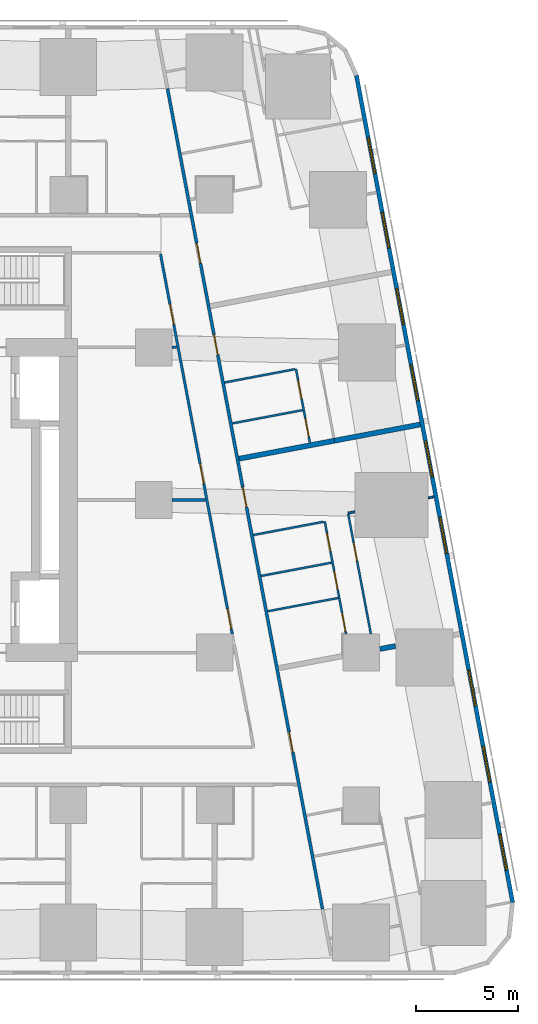
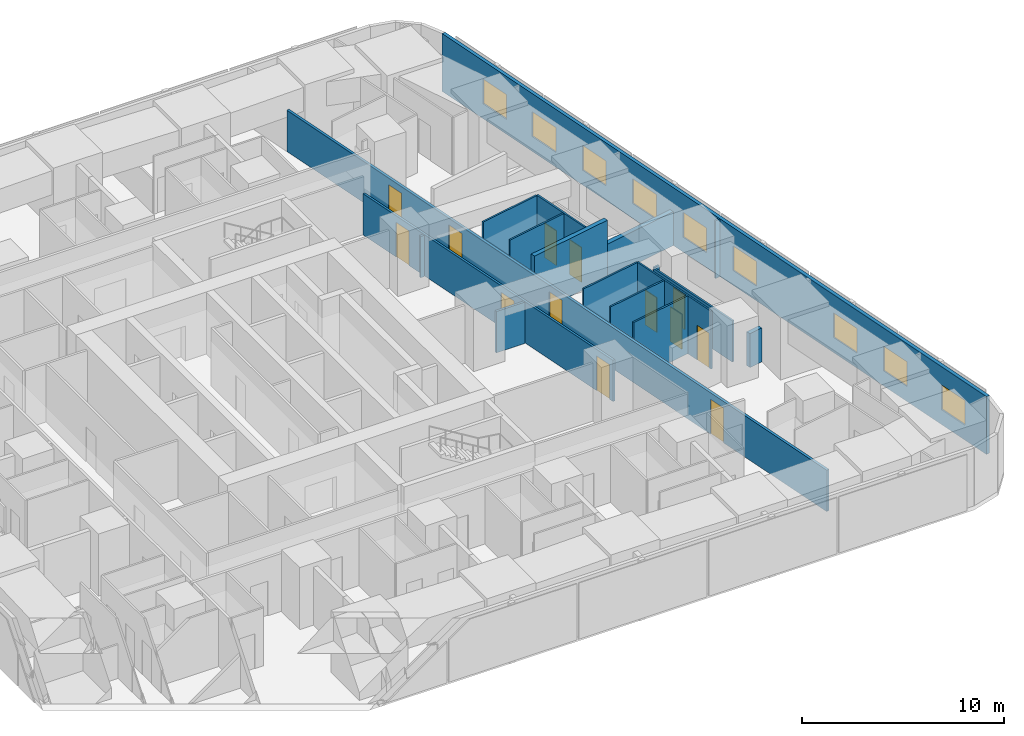
# One storey, part 7 of 15: 18 walls, 13 doors, 9 windows, 22 openings.
"""IFC4 building model written with IfcOpenShell, lengths in metres."""

from ifc_helpers import new_model, si_unit, direction, frame, frame_2d, origin, place, context, subcontext, project, spatial, rectangle, extrude, material, layer, layer_set, type_object, element, fill, save


model = new_model("IFC4")

# Units and contexts
model_context = context("Model", 3, precision=1e-05, world=origin(), true_north=direction((0.0, 1.0)))
body_context = subcontext(model_context, "Body", "Model", "MODEL_VIEW")
ifc_project = project(units=[si_unit("LENGTHUNIT", "METRE"), si_unit("AREAUNIT", "SQUARE_METRE"), si_unit("VOLUMEUNIT", "CUBIC_METRE"), si_unit("PLANEANGLEUNIT", "RADIAN"), si_unit("MASSUNIT", "GRAM", prefix="KILO")], contexts=[model_context])

# Site, building, storey
site_placement = place(None, origin())
site = spatial("IfcSite", under=ifc_project, at=site_placement, CompositionType="ELEMENT")
building_placement = place(site_placement, origin())
building = spatial("IfcBuilding", under=site, at=building_placement, Name="Sheger Commons Tower", CompositionType="ELEMENT")
storey_placement = place(building_placement, frame((0.0, 0.0, 50.0)))
storey = spatial("IfcBuildingStorey", under=building, at=storey_placement, Name="L12", CompositionType="ELEMENT", Elevation=50.0)

# Wall, openings, doors
ifc_material_1 = material(Name="Hollow concrete block masonry, skimmed both sides", Category="masonry")
ifc_layer_1 = layer(ifc_material_1, 0.14990234375)
ifc_layer_set_1 = layer_set([ifc_layer_1], Name="CORRIDOR WALL 150")
wall_type_1 = type_object("IfcWallType", Name="CORRIDOR WALL 150", PredefinedType="SOLIDWALL", material=ifc_layer_set_1)
wall_1_placement = place(storey_placement, frame((33.679931640625, 42.722900390625, 0.0), z_axis=(0.0, 0.0, 1.0), x_axis=(0.185624129307, -0.98262082342, 0.0)))
wall_1 = element("IfcWall", 1, at=wall_1_placement, inside=storey, type_object=wall_type_1, Name="Corridor wall L12", PredefinedType="SOLIDWALL", context=body_context, shape_type="SweptSolid", body=[
    extrude(rectangle(XDim=41.05126953125, YDim=0.14990234375, at=frame_2d((20.525634765625, 0.0))), origin(), (0.0, 0.0, 1.0), 2.5),
])
opening_1_placement = place(wall_1_placement, frame((7.72998046875, 0.0, 0.0)))
opening_1 = element("IfcOpeningElement", 2, at=opening_1_placement, cuts=wall_1, Name="Opening D1", PredefinedType="OPENING", context=body_context, shape_type="SweptSolid", body=[
    extrude(rectangle(XDim=1.0, YDim=2.10009765625, at=frame_2d((0.5, 1.050048828125))), frame((0.0, 0.0849609375, 0.0), z_axis=(0.0, -1.0, 0.0), x_axis=(1.0, 0.0, 0.0)), (0.0, 0.0, 1.0), 0.169921875),
])
opening_2_placement = place(wall_1_placement, frame((12.306884765625, 0.0, 0.0)))
opening_2 = element("IfcOpeningElement", 3, at=opening_2_placement, cuts=wall_1, Name="Opening D1", PredefinedType="OPENING", context=body_context, shape_type="SweptSolid", body=[
    extrude(rectangle(XDim=1.0, YDim=2.10009765625, at=frame_2d((0.5, 1.050048828125))), frame((0.0, 0.0849609375, 0.0), z_axis=(0.0, -1.0, 0.0), x_axis=(1.0, 0.0, 0.0)), (0.0, 0.0, 1.0), 0.169921875),
])
opening_3_placement = place(wall_1_placement, frame((19.93798828125, 0.0, 0.0)))
opening_3 = element("IfcOpeningElement", 4, at=opening_3_placement, cuts=wall_1, Name="Opening D1", PredefinedType="OPENING", context=body_context, shape_type="SweptSolid", body=[
    extrude(rectangle(XDim=1.0, YDim=2.10009765625, at=frame_2d((0.5, 1.050048828125))), frame((0.0, 0.0849609375, 0.0), z_axis=(0.0, -1.0, 0.0), x_axis=(1.0, 0.0, 0.0)), (0.0, 0.0, 1.0), 0.169921875),
])
opening_4_placement = place(wall_1_placement, frame((32.193115234375, 0.0, 0.0)))
opening_4 = element("IfcOpeningElement", 5, at=opening_4_placement, cuts=wall_1, Name="Opening D1", PredefinedType="OPENING", context=body_context, shape_type="SweptSolid", body=[
    extrude(rectangle(XDim=1.0, YDim=2.10009765625, at=frame_2d((0.5, 1.050048828125))), frame((0.0, 0.0849609375, 0.0), z_axis=(0.0, -1.0, 0.0), x_axis=(1.0, 0.0, 0.0)), (0.0, 0.0, 1.0), 0.169921875),
])
ifc_material_2 = material(Name="Steel door set, fire rated", Category="steel")
door_type_1 = type_object("IfcDoorType", Name="FLAT ENTRANCE DOOR 1000x2100", OperationType="NOTDEFINED", PredefinedType="DOOR", material=ifc_material_2)
door_1_placement = place(opening_1_placement, origin())
door_1 = element("IfcDoor", 6, at=door_1_placement, inside=storey, type_object=door_type_1, Name="Flat entrance door", OperationType="SINGLE_SWING_RIGHT", OverallHeight=2.10009765625, OverallWidth=1.0, PredefinedType="DOOR", context=body_context, shape_type="SweptSolid", body=[
    extrude(rectangle(XDim=1.0, YDim=2.10009765625, at=frame_2d((0.5, 1.050048828125))), frame((0.0, 0.02490234375, 0.0), z_axis=(0.0, -1.0, 0.0), x_axis=(1.0, 0.0, 0.0)), (0.0, 0.0, 1.0), 0.050048828125),
])
fill(opening_1, door_1)
door_2_placement = place(opening_2_placement, origin())
door_2 = element("IfcDoor", 7, at=door_2_placement, inside=storey, type_object=door_type_1, Name="Flat entrance door", OperationType="SINGLE_SWING_LEFT", OverallHeight=2.10009765625, OverallWidth=1.0, PredefinedType="DOOR", context=body_context, shape_type="SweptSolid", body=[
    extrude(rectangle(XDim=1.0, YDim=2.10009765625, at=frame_2d((0.5, 1.050048828125))), frame((0.0, 0.02490234375, 0.0), z_axis=(0.0, -1.0, 0.0), x_axis=(1.0, 0.0, 0.0)), (0.0, 0.0, 1.0), 0.050048828125),
])
fill(opening_2, door_2)
door_3_placement = place(opening_3_placement, origin())
door_3 = element("IfcDoor", 8, at=door_3_placement, inside=storey, type_object=door_type_1, Name="Flat entrance door", OperationType="SINGLE_SWING_RIGHT", OverallHeight=2.10009765625, OverallWidth=1.0, PredefinedType="DOOR", context=body_context, shape_type="SweptSolid", body=[
    extrude(rectangle(XDim=1.0, YDim=2.10009765625, at=frame_2d((0.5, 1.050048828125))), frame((0.0, 0.02490234375, 0.0), z_axis=(0.0, -1.0, 0.0), x_axis=(1.0, 0.0, 0.0)), (0.0, 0.0, 1.0), 0.050048828125),
])
fill(opening_3, door_3)
door_4_placement = place(opening_4_placement, origin())
door_4 = element("IfcDoor", 9, at=door_4_placement, inside=storey, type_object=door_type_1, Name="Flat entrance door", OperationType="SINGLE_SWING_RIGHT", OverallHeight=2.10009765625, OverallWidth=1.0, PredefinedType="DOOR", context=body_context, shape_type="SweptSolid", body=[
    extrude(rectangle(XDim=1.0, YDim=2.10009765625, at=frame_2d((0.5, 1.050048828125))), frame((0.0, 0.02490234375, 0.0), z_axis=(0.0, -1.0, 0.0), x_axis=(1.0, 0.0, 0.0)), (0.0, 0.0, 1.0), 0.050048828125),
])
fill(opening_4, door_4)

# Walls
ifc_material_3 = material(Name="Dense concrete block masonry, plastered both sides (separating wall between flats)", Category="masonry")
ifc_layer_2 = layer(ifc_material_3, 0.25)
ifc_layer_set_2 = layer_set([ifc_layer_2], Name="DEMISING WALL 250")
wall_type_2 = type_object("IfcWallType", Name="DEMISING WALL 250", PredefinedType="SOLIDWALL", material=ifc_layer_set_2)
wall_2_placement = place(storey_placement, frame((46.110107421875, 26.212890625, 0.0), z_axis=(0.0, 0.0, 1.0), x_axis=(-0.982633535512, -0.185556823879, 0.0)))
element("IfcWall", 10, at=wall_2_placement, inside=storey, type_object=wall_type_2, Name="Demising wall L12", PredefinedType="SOLIDWALL", context=body_context, shape_type="SweptSolid", body=[
    extrude(rectangle(XDim=4.2998046875, YDim=0.25, at=frame_2d((2.14990234375, 0.0))), origin(), (0.0, 0.0, 1.0), 2.050048828125),
])
wall_3_placement = place(storey_placement, frame((41.885009765625, 25.4150390625, 0.0), z_axis=(0.0, 0.0, 1.0), x_axis=(-0.982596737686, -0.185751584349, 0.0)))
element("IfcWall", 11, at=wall_3_placement, inside=storey, type_object=wall_type_2, Name="Demising wall L12", PredefinedType="SOLIDWALL", context=body_context, shape_type="SweptSolid", body=[
    extrude(rectangle(XDim=4.77490234375, YDim=0.25, at=frame_2d((2.387451171875, 0.0))), origin(), (0.0, 0.0, 1.0), 3.5),
])
wall_4_placement = place(storey_placement, frame((44.889892578125, 15.319091796875, 0.0), z_axis=(0.0, 0.0, 1.0), x_axis=(-0.982540856152, -0.186046945666, 0.0)))
element("IfcWall", 12, at=wall_4_placement, inside=storey, type_object=wall_type_2, Name="Demising wall L12", PredefinedType="SOLIDWALL", context=body_context, shape_type="SweptSolid", body=[
    extrude(rectangle(XDim=0.779541015625, YDim=0.25, at=frame_2d((0.3896484375, 0.0))), origin(), (0.0, 0.0, 1.0), 2.050048828125),
])

# Wall, openings, windows
ifc_material_4 = material(Name="Rendered concrete block masonry, dark grey", Category="masonry")
ifc_layer_3 = layer(ifc_material_4, 0.199951171875)
ifc_layer_set_3 = layer_set([ifc_layer_3], Name="FACADE WALL 200")
wall_type_3 = type_object("IfcWallType", Name="FACADE WALL 200", PredefinedType="SOLIDWALL", material=ifc_layer_set_3)
wall_5_placement = place(storey_placement, frame((50.653076171875, 2.702880859375, 0.0), z_axis=(0.0, 0.0, 1.0), x_axis=(-0.185612026696, 0.982623109613, 0.0)))
wall_5 = element("IfcWall", 13, at=wall_5_placement, inside=storey, type_object=wall_type_3, Name="Facade wall L12", PredefinedType="SOLIDWALL", context=body_context, shape_type="SweptSolid", body=[
    extrude(rectangle(XDim=41.393310546875, YDim=0.199951171875, at=frame_2d((20.69677734375, 0.0))), origin(), (0.0, 0.0, 1.0), 3.5),
])
opening_5_placement = place(wall_5_placement, frame((1.633056640625, 0.0, 0.89990234375)))
opening_5 = element("IfcOpeningElement", 14, at=opening_5_placement, cuts=wall_5, Name="Opening W2", PredefinedType="OPENING", context=body_context, shape_type="SweptSolid", body=[
    extrude(rectangle(XDim=1.800048828125, YDim=1.5, at=frame_2d((0.89990234375, 0.75))), frame((0.0, 0.10986328125, 0.0), z_axis=(0.0, -1.0, 0.0), x_axis=(1.0, 0.0, 0.0)), (0.0, 0.0, 1.0), 0.219970703125),
])
opening_6_placement = place(wall_5_placement, frame((6.031982421875, 0.0, 0.89990234375)))
opening_6 = element("IfcOpeningElement", 15, at=opening_6_placement, cuts=wall_5, Name="Opening W2", PredefinedType="OPENING", context=body_context, shape_type="SweptSolid", body=[
    extrude(rectangle(XDim=1.800048828125, YDim=1.5, at=frame_2d((0.89990234375, 0.75))), frame((0.0, 0.10986328125, 0.0), z_axis=(0.0, -1.0, 0.0), x_axis=(1.0, 0.0, 0.0)), (0.0, 0.0, 1.0), 0.219970703125),
])
opening_7_placement = place(wall_5_placement, frame((9.847900390625, 0.0, 0.89990234375)))
opening_7 = element("IfcOpeningElement", 16, at=opening_7_placement, cuts=wall_5, Name="Opening W2", PredefinedType="OPENING", context=body_context, shape_type="SweptSolid", body=[
    extrude(rectangle(XDim=1.800048828125, YDim=1.5, at=frame_2d((0.89990234375, 0.75))), frame((0.0, 0.10986328125, 0.0), z_axis=(0.0, -1.0, 0.0), x_axis=(1.0, 0.0, 0.0)), (0.0, 0.0, 1.0), 0.219970703125),
])
opening_8_placement = place(wall_5_placement, frame((17.48095703125, 0.0, 0.89990234375)))
opening_8 = element("IfcOpeningElement", 17, at=opening_8_placement, cuts=wall_5, Name="Opening W2", PredefinedType="OPENING", context=body_context, shape_type="SweptSolid", body=[
    extrude(rectangle(XDim=1.800048828125, YDim=1.5, at=frame_2d((0.89990234375, 0.75))), frame((0.0, 0.10986328125, 0.0), z_axis=(0.0, -1.0, 0.0), x_axis=(1.0, 0.0, 0.0)), (0.0, 0.0, 1.0), 0.219970703125),
])
opening_9_placement = place(wall_5_placement, frame((21.297119140625, 0.0, 0.89990234375)))
opening_9 = element("IfcOpeningElement", 18, at=opening_9_placement, cuts=wall_5, Name="Opening W2", PredefinedType="OPENING", context=body_context, shape_type="SweptSolid", body=[
    extrude(rectangle(XDim=1.800048828125, YDim=1.5, at=frame_2d((0.89990234375, 0.75))), frame((0.0, 0.10986328125, 0.0), z_axis=(0.0, -1.0, 0.0), x_axis=(1.0, 0.0, 0.0)), (0.0, 0.0, 1.0), 0.219970703125),
])
opening_10_placement = place(wall_5_placement, frame((25.113037109375, 0.0, 0.89990234375)))
opening_10 = element("IfcOpeningElement", 19, at=opening_10_placement, cuts=wall_5, Name="Opening W2", PredefinedType="OPENING", context=body_context, shape_type="SweptSolid", body=[
    extrude(rectangle(XDim=1.800048828125, YDim=1.5, at=frame_2d((0.89990234375, 0.75))), frame((0.0, 0.10986328125, 0.0), z_axis=(0.0, -1.0, 0.0), x_axis=(1.0, 0.0, 0.0)), (0.0, 0.0, 1.0), 0.219970703125),
])
opening_11_placement = place(wall_5_placement, frame((28.929931640625, 0.0, 0.89990234375)))
opening_11 = element("IfcOpeningElement", 20, at=opening_11_placement, cuts=wall_5, Name="Opening W2", PredefinedType="OPENING", context=body_context, shape_type="SweptSolid", body=[
    extrude(rectangle(XDim=1.800048828125, YDim=1.5, at=frame_2d((0.89990234375, 0.75))), frame((0.0, 0.10986328125, 0.0), z_axis=(0.0, -1.0, 0.0), x_axis=(1.0, 0.0, 0.0)), (0.0, 0.0, 1.0), 0.219970703125),
])
opening_12_placement = place(wall_5_placement, frame((32.74609375, 0.0, 0.89990234375)))
opening_12 = element("IfcOpeningElement", 21, at=opening_12_placement, cuts=wall_5, Name="Opening W2", PredefinedType="OPENING", context=body_context, shape_type="SweptSolid", body=[
    extrude(rectangle(XDim=1.800048828125, YDim=1.5, at=frame_2d((0.89990234375, 0.75))), frame((0.0, 0.10986328125, 0.0), z_axis=(0.0, -1.0, 0.0), x_axis=(1.0, 0.0, 0.0)), (0.0, 0.0, 1.0), 0.219970703125),
])
opening_13_placement = place(wall_5_placement, frame((36.48095703125, 0.0, 0.89990234375)))
opening_13 = element("IfcOpeningElement", 22, at=opening_13_placement, cuts=wall_5, Name="Opening W2", PredefinedType="OPENING", context=body_context, shape_type="SweptSolid", body=[
    extrude(rectangle(XDim=1.800048828125, YDim=1.5, at=frame_2d((0.89990234375, 0.75))), frame((0.0, 0.10986328125, 0.0), z_axis=(0.0, -1.0, 0.0), x_axis=(1.0, 0.0, 0.0)), (0.0, 0.0, 1.0), 0.219970703125),
])
ifc_material_5 = material(Name="Black aluminium frame, dark tinted double glazing", Category="aluminium")
window_type = type_object("IfcWindowType", Name="WINDOW W2 1800x1500", PartitioningType="SINGLE_PANEL", PredefinedType="WINDOW", material=ifc_material_5)
window_1_placement = place(opening_5_placement, origin())
window_1 = element("IfcWindow", 23, at=window_1_placement, inside=storey, type_object=window_type, Name="Window W2 1800X1500", OverallHeight=1.5, OverallWidth=1.800048828125, PartitioningType="SINGLE_PANEL", PredefinedType="WINDOW", context=body_context, shape_type="SweptSolid", body=[
    extrude(rectangle(XDim=1.800048828125, YDim=1.5, at=frame_2d((0.89990234375, 0.75))), frame((0.0, 0.030029296875, 0.0), z_axis=(0.0, -1.0, 0.0), x_axis=(1.0, 0.0, 0.0)), (0.0, 0.0, 1.0), 0.06005859375),
])
fill(opening_5, window_1)
window_2_placement = place(opening_6_placement, origin())
window_2 = element("IfcWindow", 24, at=window_2_placement, inside=storey, type_object=window_type, Name="Window W2 1800X1500", OverallHeight=1.5, OverallWidth=1.800048828125, PartitioningType="SINGLE_PANEL", PredefinedType="WINDOW", context=body_context, shape_type="SweptSolid", body=[
    extrude(rectangle(XDim=1.800048828125, YDim=1.5, at=frame_2d((0.89990234375, 0.75))), frame((0.0, 0.030029296875, 0.0), z_axis=(0.0, -1.0, 0.0), x_axis=(1.0, 0.0, 0.0)), (0.0, 0.0, 1.0), 0.06005859375),
])
fill(opening_6, window_2)
window_3_placement = place(opening_7_placement, origin())
window_3 = element("IfcWindow", 25, at=window_3_placement, inside=storey, type_object=window_type, Name="Window W2 1800X1500", OverallHeight=1.5, OverallWidth=1.800048828125, PartitioningType="SINGLE_PANEL", PredefinedType="WINDOW", context=body_context, shape_type="SweptSolid", body=[
    extrude(rectangle(XDim=1.800048828125, YDim=1.5, at=frame_2d((0.89990234375, 0.75))), frame((0.0, 0.030029296875, 0.0), z_axis=(0.0, -1.0, 0.0), x_axis=(1.0, 0.0, 0.0)), (0.0, 0.0, 1.0), 0.06005859375),
])
fill(opening_7, window_3)
window_4_placement = place(opening_8_placement, origin())
window_4 = element("IfcWindow", 26, at=window_4_placement, inside=storey, type_object=window_type, Name="Window W2 1800X1500", OverallHeight=1.5, OverallWidth=1.800048828125, PartitioningType="SINGLE_PANEL", PredefinedType="WINDOW", context=body_context, shape_type="SweptSolid", body=[
    extrude(rectangle(XDim=1.800048828125, YDim=1.5, at=frame_2d((0.89990234375, 0.75))), frame((0.0, 0.030029296875, 0.0), z_axis=(0.0, -1.0, 0.0), x_axis=(1.0, 0.0, 0.0)), (0.0, 0.0, 1.0), 0.06005859375),
])
fill(opening_8, window_4)
window_5_placement = place(opening_9_placement, origin())
window_5 = element("IfcWindow", 27, at=window_5_placement, inside=storey, type_object=window_type, Name="Window W2 1800X1500", OverallHeight=1.5, OverallWidth=1.800048828125, PartitioningType="SINGLE_PANEL", PredefinedType="WINDOW", context=body_context, shape_type="SweptSolid", body=[
    extrude(rectangle(XDim=1.800048828125, YDim=1.5, at=frame_2d((0.89990234375, 0.75))), frame((0.0, 0.030029296875, 0.0), z_axis=(0.0, -1.0, 0.0), x_axis=(1.0, 0.0, 0.0)), (0.0, 0.0, 1.0), 0.06005859375),
])
fill(opening_9, window_5)
window_6_placement = place(opening_10_placement, origin())
window_6 = element("IfcWindow", 28, at=window_6_placement, inside=storey, type_object=window_type, Name="Window W2 1800X1500", OverallHeight=1.5, OverallWidth=1.800048828125, PartitioningType="SINGLE_PANEL", PredefinedType="WINDOW", context=body_context, shape_type="SweptSolid", body=[
    extrude(rectangle(XDim=1.800048828125, YDim=1.5, at=frame_2d((0.89990234375, 0.75))), frame((0.0, 0.030029296875, 0.0), z_axis=(0.0, -1.0, 0.0), x_axis=(1.0, 0.0, 0.0)), (0.0, 0.0, 1.0), 0.06005859375),
])
fill(opening_10, window_6)
window_7_placement = place(opening_11_placement, origin())
window_7 = element("IfcWindow", 29, at=window_7_placement, inside=storey, type_object=window_type, Name="Window W2 1800X1500", OverallHeight=1.5, OverallWidth=1.800048828125, PartitioningType="SINGLE_PANEL", PredefinedType="WINDOW", context=body_context, shape_type="SweptSolid", body=[
    extrude(rectangle(XDim=1.800048828125, YDim=1.5, at=frame_2d((0.89990234375, 0.75))), frame((0.0, 0.030029296875, 0.0), z_axis=(0.0, -1.0, 0.0), x_axis=(1.0, 0.0, 0.0)), (0.0, 0.0, 1.0), 0.06005859375),
])
fill(opening_11, window_7)
window_8_placement = place(opening_12_placement, origin())
window_8 = element("IfcWindow", 30, at=window_8_placement, inside=storey, type_object=window_type, Name="Window W2 1800X1500", OverallHeight=1.5, OverallWidth=1.800048828125, PartitioningType="SINGLE_PANEL", PredefinedType="WINDOW", context=body_context, shape_type="SweptSolid", body=[
    extrude(rectangle(XDim=1.800048828125, YDim=1.5, at=frame_2d((0.89990234375, 0.75))), frame((0.0, 0.030029296875, 0.0), z_axis=(0.0, -1.0, 0.0), x_axis=(1.0, 0.0, 0.0)), (0.0, 0.0, 1.0), 0.06005859375),
])
fill(opening_12, window_8)
window_9_placement = place(opening_13_placement, origin())
window_9 = element("IfcWindow", 31, at=window_9_placement, inside=storey, type_object=window_type, Name="Window W2 1800X1500", OverallHeight=1.5, OverallWidth=1.800048828125, PartitioningType="SINGLE_PANEL", PredefinedType="WINDOW", context=body_context, shape_type="SweptSolid", body=[
    extrude(rectangle(XDim=1.800048828125, YDim=1.5, at=frame_2d((0.89990234375, 0.75))), frame((0.0, 0.030029296875, 0.0), z_axis=(0.0, -1.0, 0.0), x_axis=(1.0, 0.0, 0.0)), (0.0, 0.0, 1.0), 0.06005859375),
])
fill(opening_13, window_9)

# Wall, openings, doors
ifc_material_6 = material(Name="Gypsum board on steel studs", Category="steel")
ifc_layer_4 = layer(ifc_material_6, 0.10009765625)
ifc_layer_set_4 = layer_set([ifc_layer_4], Name="PARTITION 100")
wall_type_4 = type_object("IfcWallType", Name="PARTITION 100", PredefinedType="PARTITIONING", material=ifc_layer_set_4)
wall_6_placement = place(storey_placement, frame((39.9970703125, 28.94189453125, 0.0), z_axis=(0.0, 0.0, 1.0), x_axis=(0.185580474845, -0.982629069057, 0.0)))
wall_6 = element("IfcWall", 32, at=wall_6_placement, inside=storey, type_object=wall_type_4, Name="Partition L12", PredefinedType="PARTITIONING", context=body_context, shape_type="SweptSolid", body=[
    extrude(rectangle(XDim=3.684814453125, YDim=0.10009765625, at=frame_2d((1.84228515625, 0.0))), origin(), (0.0, 0.0, 1.0), 3.5),
])
opening_14_placement = place(wall_6_placement, frame((0.575927734375, 0.0, 0.0)))
opening_14 = element("IfcOpeningElement", 33, at=opening_14_placement, cuts=wall_6, Name="Opening D2", PredefinedType="OPENING", context=body_context, shape_type="SweptSolid", body=[
    extrude(rectangle(XDim=0.89990234375, YDim=2.10009765625, at=frame_2d((0.449951171875, 1.050048828125))), frame((0.0, 0.06005859375, 0.0), z_axis=(0.0, -1.0, 0.0), x_axis=(1.0, 0.0, 0.0)), (0.0, 0.0, 1.0), 0.1201171875),
])
opening_15_placement = place(wall_6_placement, frame((2.48291015625, 0.0, 0.0)))
opening_15 = element("IfcOpeningElement", 34, at=opening_15_placement, cuts=wall_6, Name="Opening D2", PredefinedType="OPENING", context=body_context, shape_type="SweptSolid", body=[
    extrude(rectangle(XDim=0.89990234375, YDim=2.10009765625, at=frame_2d((0.449951171875, 1.050048828125))), frame((0.0, 0.06005859375, 0.0), z_axis=(0.0, -1.0, 0.0), x_axis=(1.0, 0.0, 0.0)), (0.0, 0.0, 1.0), 0.1201171875),
])
ifc_material_7 = material(Name="Timber door set", Category="wood")
door_type_2 = type_object("IfcDoorType", Name="INTERNAL DOOR 900x2100", OperationType="NOTDEFINED", PredefinedType="DOOR", material=ifc_material_7)
door_5_placement = place(opening_14_placement, origin())
door_5 = element("IfcDoor", 35, at=door_5_placement, inside=storey, type_object=door_type_2, Name="Bathroom door", OperationType="SINGLE_SWING_RIGHT", OverallHeight=2.10009765625, OverallWidth=0.89990234375, PredefinedType="DOOR", context=body_context, shape_type="SweptSolid", body=[
    extrude(rectangle(XDim=0.89990234375, YDim=2.10009765625, at=frame_2d((0.449951171875, 1.050048828125))), frame((0.0, 0.02490234375, 0.0), z_axis=(0.0, -1.0, 0.0), x_axis=(1.0, 0.0, 0.0)), (0.0, 0.0, 1.0), 0.050048828125),
])
fill(opening_14, door_5)
door_6_placement = place(opening_15_placement, origin())
door_6 = element("IfcDoor", 36, at=door_6_placement, inside=storey, type_object=door_type_2, Name="Store door", OperationType="SINGLE_SWING_LEFT", OverallHeight=2.10009765625, OverallWidth=0.89990234375, PredefinedType="DOOR", context=body_context, shape_type="SweptSolid", body=[
    extrude(rectangle(XDim=0.89990234375, YDim=2.10009765625, at=frame_2d((0.449951171875, 1.050048828125))), frame((0.0, 0.02490234375, 0.0), z_axis=(0.0, -1.0, 0.0), x_axis=(1.0, 0.0, 0.0)), (0.0, 0.0, 1.0), 0.050048828125),
])
fill(opening_15, door_6)

# Walls
wall_7_placement = place(storey_placement, frame((39.947998046875, 28.93310546875, 0.0), z_axis=(0.0, 0.0, 1.0), x_axis=(-0.982576058723, -0.185860939478, 0.0)))
element("IfcWall", 37, at=wall_7_placement, inside=storey, type_object=wall_type_4, Name="Partition L12", PredefinedType="PARTITIONING", context=body_context, shape_type="SweptSolid", body=[
    extrude(rectangle(XDim=3.5244140625, YDim=0.10009765625, at=frame_2d((1.76220703125, 0.0))), origin(), (0.0, 0.0, 1.0), 3.5),
])
wall_8_placement = place(storey_placement, frame((40.3291015625, 26.91796875, 0.0), z_axis=(0.0, 0.0, 1.0), x_axis=(-0.982638553676, -0.185530247748, 0.0)))
element("IfcWall", 38, at=wall_8_placement, inside=storey, type_object=wall_type_4, Name="Partition L12", PredefinedType="PARTITIONING", context=body_context, shape_type="SweptSolid", body=[
    extrude(rectangle(XDim=3.525390625, YDim=0.10009765625, at=frame_2d((1.7626953125, 0.0))), origin(), (0.0, 0.0, 1.0), 3.5),
])

# Wall, opening, door
wall_9_placement = place(storey_placement, frame((42.56494140625, 21.80908203125, 0.0), z_axis=(0.0, 0.0, 1.0), x_axis=(0.185719768524, -0.982602751665, 0.0)))
wall_9 = element("IfcWall", 39, at=wall_9_placement, inside=storey, type_object=wall_type_4, Name="Partition L12", PredefinedType="PARTITIONING", context=body_context, shape_type="SweptSolid", body=[
    extrude(rectangle(XDim=6.003662109375, YDim=0.10009765625, at=frame_2d((3.001953125, 0.0))), origin(), (0.0, 0.0, 1.0), 2.5),
])
opening_16_placement = place(wall_9_placement, frame((1.449951171875, 0.0, 0.0)))
opening_16 = element("IfcOpeningElement", 40, at=opening_16_placement, cuts=wall_9, Name="Opening D2", PredefinedType="OPENING", context=body_context, shape_type="SweptSolid", body=[
    extrude(rectangle(XDim=0.89990234375, YDim=2.10009765625, at=frame_2d((0.449951171875, 1.050048828125))), frame((0.0, 0.06005859375, 0.0), z_axis=(0.0, -1.0, 0.0), x_axis=(1.0, 0.0, 0.0)), (0.0, 0.0, 1.0), 0.1201171875),
])
door_7_placement = place(opening_16_placement, origin())
door_7 = element("IfcDoor", 41, at=door_7_placement, inside=storey, type_object=door_type_2, Name="Main bedroom door", OperationType="SINGLE_SWING_RIGHT", OverallHeight=2.10009765625, OverallWidth=0.89990234375, PredefinedType="DOOR", context=body_context, shape_type="SweptSolid", body=[
    extrude(rectangle(XDim=0.89990234375, YDim=2.10009765625, at=frame_2d((0.449951171875, 1.050048828125))), frame((0.0, 0.02490234375, 0.0), z_axis=(0.0, -1.0, 0.0), x_axis=(1.0, 0.0, 0.0)), (0.0, 0.0, 1.0), 0.050048828125),
])
fill(opening_16, door_7)

# Wall, openings, doors
wall_10_placement = place(storey_placement, frame((41.4140625, 21.44189453125, 0.0), z_axis=(0.0, 0.0, 1.0), x_axis=(0.185605379031, -0.982624365297, 0.0)))
wall_10 = element("IfcWall", 42, at=wall_10_placement, inside=storey, type_object=wall_type_4, Name="Partition L12", PredefinedType="PARTITIONING", context=body_context, shape_type="SweptSolid", body=[
    extrude(rectangle(XDim=5.6298828125, YDim=0.10009765625, at=frame_2d((2.81494140625, 0.0))), origin(), (0.0, 0.0, 1.0), 3.5),
])
opening_17_placement = place(wall_10_placement, frame((0.574951171875, 0.0, 0.0)))
opening_17 = element("IfcOpeningElement", 43, at=opening_17_placement, cuts=wall_10, Name="Opening D2", PredefinedType="OPENING", context=body_context, shape_type="SweptSolid", body=[
    extrude(rectangle(XDim=0.89990234375, YDim=2.10009765625, at=frame_2d((0.449951171875, 1.050048828125))), frame((0.0, 0.06005859375, 0.0), z_axis=(0.0, -1.0, 0.0), x_axis=(1.0, 0.0, 0.0)), (0.0, 0.0, 1.0), 0.1201171875),
])
opening_18_placement = place(wall_10_placement, frame((4.580078125, 0.0, 0.0)))
opening_18 = element("IfcOpeningElement", 44, at=opening_18_placement, cuts=wall_10, Name="Opening D2", PredefinedType="OPENING", context=body_context, shape_type="SweptSolid", body=[
    extrude(rectangle(XDim=0.89990234375, YDim=2.10009765625, at=frame_2d((0.449951171875, 1.050048828125))), frame((0.0, 0.06005859375, 0.0), z_axis=(0.0, -1.0, 0.0), x_axis=(1.0, 0.0, 0.0)), (0.0, 0.0, 1.0), 0.1201171875),
])
opening_19_placement = place(wall_10_placement, frame((2.48291015625, 0.0, 0.0)))
opening_19 = element("IfcOpeningElement", 45, at=opening_19_placement, cuts=wall_10, Name="Opening D2", PredefinedType="OPENING", context=body_context, shape_type="SweptSolid", body=[
    extrude(rectangle(XDim=0.89990234375, YDim=2.10009765625, at=frame_2d((0.449951171875, 1.050048828125))), frame((0.0, 0.06005859375, 0.0), z_axis=(0.0, -1.0, 0.0), x_axis=(1.0, 0.0, 0.0)), (0.0, 0.0, 1.0), 0.1201171875),
])
door_8_placement = place(opening_17_placement, origin())
door_8 = element("IfcDoor", 46, at=door_8_placement, inside=storey, type_object=door_type_2, Name="Bathroom door", OperationType="SINGLE_SWING_RIGHT", OverallHeight=2.10009765625, OverallWidth=0.89990234375, PredefinedType="DOOR", context=body_context, shape_type="SweptSolid", body=[
    extrude(rectangle(XDim=0.89990234375, YDim=2.10009765625, at=frame_2d((0.449951171875, 1.050048828125))), frame((0.0, 0.02490234375, 0.0), z_axis=(0.0, -1.0, 0.0), x_axis=(1.0, 0.0, 0.0)), (0.0, 0.0, 1.0), 0.050048828125),
])
fill(opening_17, door_8)
door_9_placement = place(opening_18_placement, origin())
door_9 = element("IfcDoor", 47, at=door_9_placement, inside=storey, type_object=door_type_2, Name="Store and laundry door", OperationType="SINGLE_SWING_LEFT", OverallHeight=2.10009765625, OverallWidth=0.89990234375, PredefinedType="DOOR", context=body_context, shape_type="SweptSolid", body=[
    extrude(rectangle(XDim=0.89990234375, YDim=2.10009765625, at=frame_2d((0.449951171875, 1.050048828125))), frame((0.0, 0.02490234375, 0.0), z_axis=(0.0, -1.0, 0.0), x_axis=(1.0, 0.0, 0.0)), (0.0, 0.0, 1.0), 0.050048828125),
])
fill(opening_18, door_9)
door_10_placement = place(opening_19_placement, origin())
door_10 = element("IfcDoor", 48, at=door_10_placement, inside=storey, type_object=door_type_2, Name="Store door", OperationType="SINGLE_SWING_RIGHT", OverallHeight=2.10009765625, OverallWidth=0.89990234375, PredefinedType="DOOR", context=body_context, shape_type="SweptSolid", body=[
    extrude(rectangle(XDim=0.89990234375, YDim=2.10009765625, at=frame_2d((0.449951171875, 1.050048828125))), frame((0.0, 0.02490234375, 0.0), z_axis=(0.0, -1.0, 0.0), x_axis=(1.0, 0.0, 0.0)), (0.0, 0.0, 1.0), 0.050048828125),
])
fill(opening_19, door_10)

# Walls
wall_11_placement = place(storey_placement, frame((46.781982421875, 22.656982421875, 0.0), z_axis=(0.0, 0.0, 1.0), x_axis=(-0.982574553168, -0.185868898601, 0.0)))
element("IfcWall", 49, at=wall_11_placement, inside=storey, type_object=wall_type_4, Name="Partition L12", PredefinedType="PARTITIONING", context=body_context, shape_type="SweptSolid", body=[
    extrude(rectangle(XDim=0.27978515625, YDim=0.10009765625, at=frame_2d((0.139892578125, 0.0))), origin(), (0.0, 0.0, 1.0), 3.5),
])
wall_12_placement = place(storey_placement, frame((42.886962890625, 21.9208984375, 0.0), z_axis=(0.0, 0.0, 1.0), x_axis=(-0.982274918032, -0.187445953293, 0.0)))
element("IfcWall", 50, at=wall_12_placement, inside=storey, type_object=wall_type_4, Name="Partition L12", PredefinedType="PARTITIONING", context=body_context, shape_type="SweptSolid", body=[
    extrude(rectangle(XDim=0.3359375, YDim=0.10009765625, at=frame_2d((0.16796875, 0.0))), origin(), (0.0, 0.0, 1.0), 2.5),
])
wall_13_placement = place(storey_placement, frame((41.364990234375, 21.43310546875, 0.0), z_axis=(0.0, 0.0, 1.0), x_axis=(-0.982638553676, -0.185530247748, 0.0)))
element("IfcWall", 51, at=wall_13_placement, inside=storey, type_object=wall_type_4, Name="Partition L12", PredefinedType="PARTITIONING", context=body_context, shape_type="SweptSolid", body=[
    extrude(rectangle(XDim=3.525390625, YDim=0.10009765625, at=frame_2d((1.7626953125, 0.0))), origin(), (0.0, 0.0, 1.0), 3.5),
])
wall_14_placement = place(storey_placement, frame((42.072998046875, 17.68310546875, 0.0), z_axis=(0.0, 0.0, 1.0), x_axis=(-0.982626628545, -0.185593396635, 0.0)))
element("IfcWall", 52, at=wall_14_placement, inside=storey, type_object=wall_type_4, Name="Partition L12", PredefinedType="PARTITIONING", context=body_context, shape_type="SweptSolid", body=[
    extrude(rectangle(XDim=3.524169921875, YDim=0.10009765625, at=frame_2d((1.76220703125, 0.0))), origin(), (0.0, 0.0, 1.0), 3.5),
])
wall_15_placement = place(storey_placement, frame((41.7451171875, 19.41796875, 0.0), z_axis=(0.0, 0.0, 1.0), x_axis=(-0.982629014545, -0.18558076348, 0.0)))
element("IfcWall", 53, at=wall_15_placement, inside=storey, type_object=wall_type_4, Name="Partition L12", PredefinedType="PARTITIONING", context=body_context, shape_type="SweptSolid", body=[
    extrude(rectangle(XDim=3.5244140625, YDim=0.10009765625, at=frame_2d((1.76220703125, 0.0))), origin(), (0.0, 0.0, 1.0), 3.5),
])

# Wall, openings, doors
ifc_material_8 = material(Name="Gypsum board on steel studs, two layers each side, fire rated", Category="steel")
ifc_layer_5 = layer(ifc_material_8, 0.125)
ifc_layer_set_5 = layer_set([ifc_layer_5], Name="SERVICE WALL 125")
wall_type_5 = type_object("IfcWallType", Name="SERVICE WALL 125", PredefinedType="PARTITIONING", material=ifc_layer_set_5)
wall_16_placement = place(storey_placement, frame((36.861083984375, 15.9130859375, 0.0), z_axis=(0.0, 0.0, 1.0), x_axis=(-0.185588307143, 0.982627589808, 0.0)))
wall_16 = element("IfcWall", 54, at=wall_16_placement, inside=storey, type_object=wall_type_5, Name="Service room wall L12", PredefinedType="PARTITIONING", context=body_context, shape_type="SweptSolid", body=[
    extrude(rectangle(XDim=19.0048828125, YDim=0.125, at=frame_2d((9.50244140625, 0.0))), origin(), (0.0, 0.0, 1.0), 2.5),
])
opening_20_placement = place(wall_16_placement, frame((0.25, 0.0, 0.0)))
opening_20 = element("IfcOpeningElement", 55, at=opening_20_placement, cuts=wall_16, Name="Opening D4", PredefinedType="OPENING", context=body_context, shape_type="SweptSolid", body=[
    extrude(rectangle(XDim=1.0, YDim=2.10009765625, at=frame_2d((0.5, 1.050048828125))), frame((0.0, 0.072509765625, 0.0), z_axis=(0.0, -1.0, 0.0), x_axis=(1.0, 0.0, 0.0)), (0.0, 0.0, 1.0), 0.14501953125),
])
opening_21_placement = place(wall_16_placement, frame((7.527099609375, 0.0, 0.0)))
opening_21 = element("IfcOpeningElement", 56, at=opening_21_placement, cuts=wall_16, Name="Opening D4", PredefinedType="OPENING", context=body_context, shape_type="SweptSolid", body=[
    extrude(rectangle(XDim=1.0, YDim=2.10009765625, at=frame_2d((0.5, 1.050048828125))), frame((0.0, 0.072509765625, 0.0), z_axis=(0.0, -1.0, 0.0), x_axis=(1.0, 0.0, 0.0)), (0.0, 0.0, 1.0), 0.14501953125),
])
opening_22_placement = place(wall_16_placement, frame((15.5, 0.0, 0.0)))
opening_22 = element("IfcOpeningElement", 57, at=opening_22_placement, cuts=wall_16, Name="Opening D4", PredefinedType="OPENING", context=body_context, shape_type="SweptSolid", body=[
    extrude(rectangle(XDim=1.0, YDim=2.10009765625, at=frame_2d((0.5, 1.050048828125))), frame((0.0, 0.072509765625, 0.0), z_axis=(0.0, -1.0, 0.0), x_axis=(1.0, 0.0, 0.0)), (0.0, 0.0, 1.0), 0.14501953125),
])
ifc_material_9 = material(Name="Steel door set, fire rated", Category="steel")
door_type_3 = type_object("IfcDoorType", Name="SERVICE DOOR 1000x2100", OperationType="NOTDEFINED", PredefinedType="DOOR", material=ifc_material_9)
door_11_placement = place(opening_20_placement, origin())
door_11 = element("IfcDoor", 58, at=door_11_placement, inside=storey, type_object=door_type_3, Name="Bicycle and pram store door", OperationType="SINGLE_SWING_LEFT", OverallHeight=2.10009765625, OverallWidth=1.0, PredefinedType="DOOR", context=body_context, shape_type="SweptSolid", body=[
    extrude(rectangle(XDim=1.0, YDim=2.10009765625, at=frame_2d((0.5, 1.050048828125))), frame((0.0, 0.02490234375, 0.0), z_axis=(0.0, -1.0, 0.0), x_axis=(1.0, 0.0, 0.0)), (0.0, 0.0, 1.0), 0.050048828125),
])
fill(opening_20, door_11)
door_12_placement = place(opening_21_placement, origin())
door_12 = element("IfcDoor", 59, at=door_12_placement, inside=storey, type_object=door_type_3, Name="Residents' store door", OperationType="SINGLE_SWING_LEFT", OverallHeight=2.10009765625, OverallWidth=1.0, PredefinedType="DOOR", context=body_context, shape_type="SweptSolid", body=[
    extrude(rectangle(XDim=1.0, YDim=2.10009765625, at=frame_2d((0.5, 1.050048828125))), frame((0.0, 0.02490234375, 0.0), z_axis=(0.0, -1.0, 0.0), x_axis=(1.0, 0.0, 0.0)), (0.0, 0.0, 1.0), 0.050048828125),
])
fill(opening_21, door_12)
door_13_placement = place(opening_22_placement, origin())
door_13 = element("IfcDoor", 60, at=door_13_placement, inside=storey, type_object=door_type_3, Name="Residents' meeting room door", OperationType="SINGLE_SWING_LEFT", OverallHeight=2.10009765625, OverallWidth=1.0, PredefinedType="DOOR", context=body_context, shape_type="SweptSolid", body=[
    extrude(rectangle(XDim=1.0, YDim=2.10009765625, at=frame_2d((0.5, 1.050048828125))), frame((0.0, 0.02490234375, 0.0), z_axis=(0.0, -1.0, 0.0), x_axis=(1.0, 0.0, 0.0)), (0.0, 0.0, 1.0), 0.050048828125),
])
fill(opening_22, door_13)

# Walls
wall_17_placement = place(storey_placement, frame((33.90087890625, 22.5, 0.0), z_axis=(0.0, 0.0, 1.0), x_axis=(1.0, 0.0, 0.0)))
element("IfcWall", 61, at=wall_17_placement, inside=storey, type_object=wall_type_5, Name="Service room wall L12", PredefinedType="PARTITIONING", context=body_context, shape_type="SweptSolid", body=[
    extrude(rectangle(XDim=1.64111328125, YDim=0.125, at=frame_2d((0.820556640625, 0.0))), origin(), (0.0, 0.0, 1.0), 2.5),
])
wall_18_placement = place(storey_placement, frame((33.90087890625, 30.0, 0.0), z_axis=(0.0, 0.0, 1.0), x_axis=(1.0, 0.0, 0.0)))
element("IfcWall", 62, at=wall_18_placement, inside=storey, type_object=wall_type_5, Name="Service room wall L12", PredefinedType="PARTITIONING", context=body_context, shape_type="SweptSolid", body=[
    extrude(rectangle(XDim=0.22412109375, YDim=0.125, at=frame_2d((0.112060546875, 0.0))), origin(), (0.0, 0.0, 1.0), 2.5),
])

save(model, "model.ifc")
